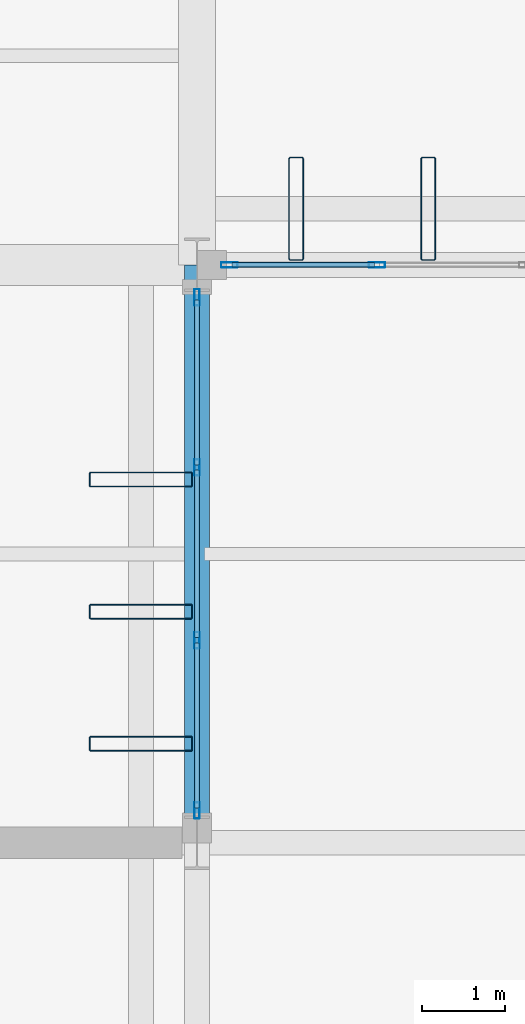
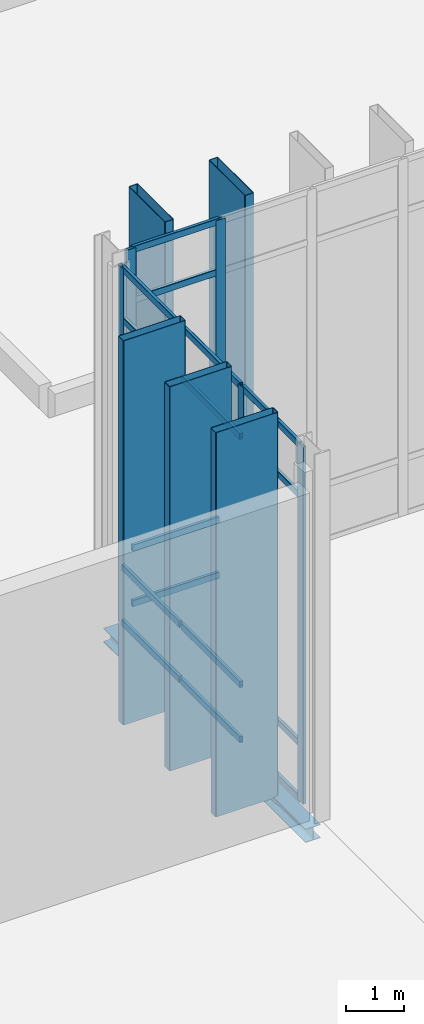
# One storey, part 58 of 176: 27 members, 1 beam, 2 elements without a shape of their own.
"""IFC4 building model written with IfcOpenShell, lengths in metres."""

from ifc_helpers import new_model, si_unit, direction, frame, origin, origin_2d, place, context, subcontext, project, spatial, hollow_rectangle, i_section, extrude, material, layer, layer_set, material_profile, profile_set, type_object, element, aggregate, save


model = new_model("IFC4")

# Units and contexts
model_context = context("Model", 3, precision=1e-05, world=origin(), true_north=direction((0.0, 1.0)))
body_context = subcontext(model_context, "Body", "Model", "MODEL_VIEW")
ifc_project = project(units=[si_unit("LENGTHUNIT", "METRE"), si_unit("AREAUNIT", "SQUARE_METRE"), si_unit("VOLUMEUNIT", "CUBIC_METRE"), si_unit("PLANEANGLEUNIT", "RADIAN"), si_unit("MASSUNIT", "GRAM", prefix="KILO")], contexts=[model_context])

# Site, building, storey
site_placement = place(None, origin())
site = spatial("IfcSite", under=ifc_project, at=site_placement, CompositionType="ELEMENT")
building_placement = place(site_placement, origin())
building = spatial("IfcBuilding", under=site, at=building_placement, Name="Vekula Escarpment Museum", CompositionType="ELEMENT")
storey_placement = place(building_placement, origin())
storey = spatial("IfcBuildingStorey", under=building, at=storey_placement, Name="L01", CompositionType="ELEMENT", Elevation=0.0)

# Beam
ifc_material_1 = material(Name="Steel S355", Category="steel")
ifc_material_profile_1 = material_profile(ifc_material_1, i_section(OverallWidth=0.300048828125, OverallDepth=0.2900390625, WebThickness=0.008544921875, FlangeThickness=0.013916015625, FilletRadius=0.027099609375, at=origin_2d()), Name="HEA 300")
ifc_profile_set_1 = profile_set([ifc_material_profile_1], Name="Steel S355")
beam_type = type_object("IfcBeamType", Name="BM-SPAN-HEA300", PredefinedType="SPANDREL", material=ifc_profile_set_1)
beam_placement = place(storey_placement, frame((70.0, 83.39990234375, -0.445068359375), z_axis=(0.0, 1.0, 0.0), x_axis=(-1.0, 0.0, 0.0)))
element("IfcBeam", 1, at=beam_placement, inside=storey, type_object=beam_type, Name="Beam Y L01 0545", PredefinedType="SPANDREL", context=body_context, shape_type="SweptSolid", body=[
    extrude(i_section(OverallWidth=0.300048828125, OverallDepth=0.2900390625, WebThickness=0.008544921875, FlangeThickness=0.013916015625, FilletRadius=0.027099609375, at=origin_2d()), origin(), (0.0, 0.0, 1.0), 7.0),
])

# Curtain wall, members
ifc_material_2 = material(Name="Aluminium thermally broken framing", Category="aluminium")
ifc_layer_1 = layer(ifc_material_2, 0.159912109375)
ifc_layer_set_1 = layer_set([ifc_layer_1], Name="Aluminium thermally broken framing")
curtain_wall_type_1 = type_object("IfcCurtainWallType", Name="CW-SYS-01", PredefinedType="NOTDEFINED", material=ifc_layer_set_1)
curtain_wall_1_placement = place(storey_placement, origin())
curtain_wall_1 = element("IfcCurtainWall", 2, at=curtain_wall_1_placement, inside=storey, type_object=curtain_wall_type_1, Name="Curtain Wall CW-L01-041", PredefinedType="NOTDEFINED")
ifc_material_3 = material(Name="Aluminium anodized mullion", Category="aluminium")
ifc_material_profile_2 = material_profile(ifc_material_3, hollow_rectangle(XDim=0.06494140625, YDim=0.199951171875, WallThickness=0.00390625, InnerFilletRadius=0.00390625, OuterFilletRadius=0.008056640625, at=origin_2d()), Name="ALU 200x65x4")
ifc_profile_set_2 = profile_set([ifc_material_profile_2], Name="Aluminium anodized mullion")
member_type_1 = type_object("IfcMemberType", Name="CW-MUL-200", PredefinedType="MULLION", material=ifc_profile_set_2)
member_1_placement = place(storey_placement, frame((72.179931640625, 90.39990234375, 0.0), z_axis=(0.0, 0.0, 1.0), x_axis=(0.0, -1.0, 0.0)))
member_1 = element("IfcMember", 3, at=member_1_placement, type_object=member_type_1, Name="CW-01 mullion 4", PredefinedType="MULLION", context=body_context, shape_type="SweptSolid", body=[
    extrude(hollow_rectangle(XDim=0.06494140625, YDim=0.199951171875, WallThickness=0.00390625, InnerFilletRadius=0.00390625, OuterFilletRadius=0.008056640625, at=origin_2d()), origin(), (0.0, 0.0, 1.0), 7.5400390625),
])
member_2_placement = place(storey_placement, frame((70.392578125, 90.39990234375, 0.0), z_axis=(0.0, 0.0, 1.0), x_axis=(0.0, -1.0, 0.0)))
member_2 = element("IfcMember", 4, at=member_2_placement, type_object=member_type_1, Name="CW-01 mullion 5", PredefinedType="MULLION", context=body_context, shape_type="SweptSolid", body=[
    extrude(hollow_rectangle(XDim=0.06494140625, YDim=0.199951171875, WallThickness=0.00390625, InnerFilletRadius=0.00390625, OuterFilletRadius=0.008056640625, at=origin_2d()), origin(), (0.0, 0.0, 1.0), 7.5400390625),
])

ifc_material_4 = material(Name="Aluminium thermally broken framing", Category="aluminium")
ifc_layer_2 = layer(ifc_material_4, 0.159912109375)
ifc_layer_set_2 = layer_set([ifc_layer_2], Name="Aluminium thermally broken framing")
curtain_wall_type_2 = type_object("IfcCurtainWallType", Name="CW-SYS-02", PredefinedType="NOTDEFINED", material=ifc_layer_set_2)
curtain_wall_2_placement = place(storey_placement, origin())
curtain_wall_2 = element("IfcCurtainWall", 5, at=curtain_wall_2_placement, inside=storey, type_object=curtain_wall_type_2, Name="Curtain Wall CW-L01-042", PredefinedType="NOTDEFINED")
member_3_placement = place(storey_placement, frame((70.0, 90.007568359375, 0.0), z_axis=(0.0, 0.0, 1.0), x_axis=(1.0, 0.0, 0.0)))
member_3 = element("IfcMember", 6, at=member_3_placement, type_object=member_type_1, Name="CW-02 mullion 1", PredefinedType="MULLION", context=body_context, shape_type="SweptSolid", body=[
    extrude(hollow_rectangle(XDim=0.06494140625, YDim=0.199951171875, WallThickness=0.00390625, InnerFilletRadius=0.00390625, OuterFilletRadius=0.008056640625, at=origin_2d()), origin(), (0.0, 0.0, 1.0), 7.5400390625),
])
member_4_placement = place(storey_placement, frame((70.0, 87.94677734375, 0.0), z_axis=(0.0, 0.0, 1.0), x_axis=(1.0, 0.0, 0.0)))
member_4 = element("IfcMember", 7, at=member_4_placement, type_object=member_type_1, Name="CW-02 mullion 2", PredefinedType="MULLION", context=body_context, shape_type="SweptSolid", body=[
    extrude(hollow_rectangle(XDim=0.06494140625, YDim=0.199951171875, WallThickness=0.00390625, InnerFilletRadius=0.00390625, OuterFilletRadius=0.008056640625, at=origin_2d()), origin(), (0.0, 0.0, 1.0), 7.5400390625),
])
member_5_placement = place(storey_placement, frame((70.0, 85.853271484375, 0.0), z_axis=(0.0, 0.0, 1.0), x_axis=(1.0, 0.0, 0.0)))
member_5 = element("IfcMember", 8, at=member_5_placement, type_object=member_type_1, Name="CW-02 mullion 3", PredefinedType="MULLION", context=body_context, shape_type="SweptSolid", body=[
    extrude(hollow_rectangle(XDim=0.06494140625, YDim=0.199951171875, WallThickness=0.00390625, InnerFilletRadius=0.00390625, OuterFilletRadius=0.008056640625, at=origin_2d()), origin(), (0.0, 0.0, 1.0), 7.5400390625),
])
member_6_placement = place(storey_placement, frame((70.0, 83.79248046875, 0.0), z_axis=(0.0, 0.0, 1.0), x_axis=(1.0, 0.0, 0.0)))
member_6 = element("IfcMember", 9, at=member_6_placement, type_object=member_type_1, Name="CW-02 mullion 4", PredefinedType="MULLION", context=body_context, shape_type="SweptSolid", body=[
    extrude(hollow_rectangle(XDim=0.06494140625, YDim=0.199951171875, WallThickness=0.00390625, InnerFilletRadius=0.00390625, OuterFilletRadius=0.008056640625, at=origin_2d()), origin(), (0.0, 0.0, 1.0), 7.5400390625),
])

# Member
ifc_material_5 = material(Name="Aluminium anodized transom", Category="aluminium")
ifc_material_profile_3 = material_profile(ifc_material_5, hollow_rectangle(XDim=0.06494140625, YDim=0.139892578125, WallThickness=0.00390625, InnerFilletRadius=0.00390625, OuterFilletRadius=0.008056640625, at=origin_2d()), Name="ALU 140x65x4")
ifc_profile_set_3 = profile_set([ifc_material_profile_3], Name="Aluminium anodized transom")
member_type_2 = type_object("IfcMemberType", Name="CW-TRN-140", PredefinedType="USERDEFINED", material=ifc_profile_set_3)
member_7_placement = place(storey_placement, frame((72.1474609375, 90.39990234375, 0.032470703125), z_axis=(-1.0, 0.0, 0.0), x_axis=(0.0, -1.0, 0.0)))
member_7 = element("IfcMember", 10, at=member_7_placement, type_object=member_type_2, Name="CW-01 transom 4.1", ObjectType="TRANSOM", PredefinedType="USERDEFINED", context=body_context, shape_type="SweptSolid", body=[
    extrude(hollow_rectangle(XDim=0.06494140625, YDim=0.139892578125, WallThickness=0.00390625, InnerFilletRadius=0.00390625, OuterFilletRadius=0.008056640625, at=origin_2d()), origin(), (0.0, 0.0, 1.0), 1.722412109375),
])

member_8_placement = place(storey_placement, frame((72.1474609375, 90.39990234375, 1.199951171875), z_axis=(-1.0, 0.0, 0.0), x_axis=(0.0, -1.0, 0.0)))
member_8 = element("IfcMember", 11, at=member_8_placement, type_object=member_type_2, Name="CW-01 transom 4.2", ObjectType="TRANSOM", PredefinedType="USERDEFINED", context=body_context, shape_type="SweptSolid", body=[
    extrude(hollow_rectangle(XDim=0.06494140625, YDim=0.139892578125, WallThickness=0.00390625, InnerFilletRadius=0.00390625, OuterFilletRadius=0.008056640625, at=origin_2d()), origin(), (0.0, 0.0, 1.0), 1.722412109375),
])

member_9_placement = place(storey_placement, frame((72.1474609375, 90.39990234375, 6.43994140625), z_axis=(-1.0, 0.0, 0.0), x_axis=(0.0, -1.0, 0.0)))
member_9 = element("IfcMember", 12, at=member_9_placement, type_object=member_type_2, Name="CW-01 transom 4.3", ObjectType="TRANSOM", PredefinedType="USERDEFINED", context=body_context, shape_type="SweptSolid", body=[
    extrude(hollow_rectangle(XDim=0.06494140625, YDim=0.139892578125, WallThickness=0.00390625, InnerFilletRadius=0.00390625, OuterFilletRadius=0.008056640625, at=origin_2d()), origin(), (0.0, 0.0, 1.0), 1.722412109375),
])

member_10_placement = place(storey_placement, frame((72.1474609375, 90.39990234375, 7.507568359375), z_axis=(-1.0, 0.0, 0.0), x_axis=(0.0, -1.0, 0.0)))
member_10 = element("IfcMember", 13, at=member_10_placement, type_object=member_type_2, Name="CW-01 transom 4.4", ObjectType="TRANSOM", PredefinedType="USERDEFINED", context=body_context, shape_type="SweptSolid", body=[
    extrude(hollow_rectangle(XDim=0.06494140625, YDim=0.139892578125, WallThickness=0.00390625, InnerFilletRadius=0.00390625, OuterFilletRadius=0.008056640625, at=origin_2d()), origin(), (0.0, 0.0, 1.0), 1.722412109375),
])

aggregate(curtain_wall_1, [member_1, member_2, member_7, member_8, member_9, member_10])

member_11_placement = place(storey_placement, frame((70.0, 89.97509765625, 0.032470703125), z_axis=(0.0, -1.0, 0.0), x_axis=(1.0, 0.0, 0.0)))
member_11 = element("IfcMember", 14, at=member_11_placement, type_object=member_type_2, Name="CW-02 transom 1.1", ObjectType="TRANSOM", PredefinedType="USERDEFINED", context=body_context, shape_type="SweptSolid", body=[
    extrude(hollow_rectangle(XDim=0.06494140625, YDim=0.139892578125, WallThickness=0.00390625, InnerFilletRadius=0.00390625, OuterFilletRadius=0.008056640625, at=origin_2d()), origin(), (0.0, 0.0, 1.0), 1.995849609375),
])

member_12_placement = place(storey_placement, frame((70.0, 89.97509765625, 1.199951171875), z_axis=(0.0, -1.0, 0.0), x_axis=(1.0, 0.0, 0.0)))
member_12 = element("IfcMember", 15, at=member_12_placement, type_object=member_type_2, Name="CW-02 transom 1.2", ObjectType="TRANSOM", PredefinedType="USERDEFINED", context=body_context, shape_type="SweptSolid", body=[
    extrude(hollow_rectangle(XDim=0.06494140625, YDim=0.139892578125, WallThickness=0.00390625, InnerFilletRadius=0.00390625, OuterFilletRadius=0.008056640625, at=origin_2d()), origin(), (0.0, 0.0, 1.0), 1.995849609375),
])

member_13_placement = place(storey_placement, frame((70.0, 89.97509765625, 6.43994140625), z_axis=(0.0, -1.0, 0.0), x_axis=(1.0, 0.0, 0.0)))
member_13 = element("IfcMember", 16, at=member_13_placement, type_object=member_type_2, Name="CW-02 transom 1.3", ObjectType="TRANSOM", PredefinedType="USERDEFINED", context=body_context, shape_type="SweptSolid", body=[
    extrude(hollow_rectangle(XDim=0.06494140625, YDim=0.139892578125, WallThickness=0.00390625, InnerFilletRadius=0.00390625, OuterFilletRadius=0.008056640625, at=origin_2d()), origin(), (0.0, 0.0, 1.0), 1.995849609375),
])

member_14_placement = place(storey_placement, frame((70.0, 89.97509765625, 7.507568359375), z_axis=(0.0, -1.0, 0.0), x_axis=(1.0, 0.0, 0.0)))
member_14 = element("IfcMember", 17, at=member_14_placement, type_object=member_type_2, Name="CW-02 transom 1.4", ObjectType="TRANSOM", PredefinedType="USERDEFINED", context=body_context, shape_type="SweptSolid", body=[
    extrude(hollow_rectangle(XDim=0.06494140625, YDim=0.139892578125, WallThickness=0.00390625, InnerFilletRadius=0.00390625, OuterFilletRadius=0.008056640625, at=origin_2d()), origin(), (0.0, 0.0, 1.0), 1.995849609375),
])

member_15_placement = place(storey_placement, frame((70.0, 87.9140625, 0.032470703125), z_axis=(0.0, -1.0, 0.0), x_axis=(1.0, 0.0, 0.0)))
member_15 = element("IfcMember", 18, at=member_15_placement, type_object=member_type_2, Name="CW-02 transom 2.1", ObjectType="TRANSOM", PredefinedType="USERDEFINED", context=body_context, shape_type="SweptSolid", body=[
    extrude(hollow_rectangle(XDim=0.06494140625, YDim=0.139892578125, WallThickness=0.00390625, InnerFilletRadius=0.00390625, OuterFilletRadius=0.008056640625, at=origin_2d()), origin(), (0.0, 0.0, 1.0), 2.0283203125),
])

member_16_placement = place(storey_placement, frame((70.0, 87.9140625, 1.199951171875), z_axis=(0.0, -1.0, 0.0), x_axis=(1.0, 0.0, 0.0)))
member_16 = element("IfcMember", 19, at=member_16_placement, type_object=member_type_2, Name="CW-02 transom 2.2", ObjectType="TRANSOM", PredefinedType="USERDEFINED", context=body_context, shape_type="SweptSolid", body=[
    extrude(hollow_rectangle(XDim=0.06494140625, YDim=0.139892578125, WallThickness=0.00390625, InnerFilletRadius=0.00390625, OuterFilletRadius=0.008056640625, at=origin_2d()), origin(), (0.0, 0.0, 1.0), 2.0283203125),
])

member_17_placement = place(storey_placement, frame((70.0, 87.9140625, 6.43994140625), z_axis=(0.0, -1.0, 0.0), x_axis=(1.0, 0.0, 0.0)))
member_17 = element("IfcMember", 20, at=member_17_placement, type_object=member_type_2, Name="CW-02 transom 2.3", ObjectType="TRANSOM", PredefinedType="USERDEFINED", context=body_context, shape_type="SweptSolid", body=[
    extrude(hollow_rectangle(XDim=0.06494140625, YDim=0.139892578125, WallThickness=0.00390625, InnerFilletRadius=0.00390625, OuterFilletRadius=0.008056640625, at=origin_2d()), origin(), (0.0, 0.0, 1.0), 2.0283203125),
])

member_18_placement = place(storey_placement, frame((70.0, 87.9140625, 7.507568359375), z_axis=(0.0, -1.0, 0.0), x_axis=(1.0, 0.0, 0.0)))
member_18 = element("IfcMember", 21, at=member_18_placement, type_object=member_type_2, Name="CW-02 transom 2.4", ObjectType="TRANSOM", PredefinedType="USERDEFINED", context=body_context, shape_type="SweptSolid", body=[
    extrude(hollow_rectangle(XDim=0.06494140625, YDim=0.139892578125, WallThickness=0.00390625, InnerFilletRadius=0.00390625, OuterFilletRadius=0.008056640625, at=origin_2d()), origin(), (0.0, 0.0, 1.0), 2.0283203125),
])

member_19_placement = place(storey_placement, frame((70.0, 85.82080078125, 0.032470703125), z_axis=(0.0, -1.0, 0.0), x_axis=(1.0, 0.0, 0.0)))
member_19 = element("IfcMember", 22, at=member_19_placement, type_object=member_type_2, Name="CW-02 transom 3.1", ObjectType="TRANSOM", PredefinedType="USERDEFINED", context=body_context, shape_type="SweptSolid", body=[
    extrude(hollow_rectangle(XDim=0.06494140625, YDim=0.139892578125, WallThickness=0.00390625, InnerFilletRadius=0.00390625, OuterFilletRadius=0.008056640625, at=origin_2d()), origin(), (0.0, 0.0, 1.0), 1.995849609375),
])

member_20_placement = place(storey_placement, frame((70.0, 85.82080078125, 1.199951171875), z_axis=(0.0, -1.0, 0.0), x_axis=(1.0, 0.0, 0.0)))
member_20 = element("IfcMember", 23, at=member_20_placement, type_object=member_type_2, Name="CW-02 transom 3.2", ObjectType="TRANSOM", PredefinedType="USERDEFINED", context=body_context, shape_type="SweptSolid", body=[
    extrude(hollow_rectangle(XDim=0.06494140625, YDim=0.139892578125, WallThickness=0.00390625, InnerFilletRadius=0.00390625, OuterFilletRadius=0.008056640625, at=origin_2d()), origin(), (0.0, 0.0, 1.0), 1.995849609375),
])

member_21_placement = place(storey_placement, frame((70.0, 85.82080078125, 6.43994140625), z_axis=(0.0, -1.0, 0.0), x_axis=(1.0, 0.0, 0.0)))
member_21 = element("IfcMember", 24, at=member_21_placement, type_object=member_type_2, Name="CW-02 transom 3.3", ObjectType="TRANSOM", PredefinedType="USERDEFINED", context=body_context, shape_type="SweptSolid", body=[
    extrude(hollow_rectangle(XDim=0.06494140625, YDim=0.139892578125, WallThickness=0.00390625, InnerFilletRadius=0.00390625, OuterFilletRadius=0.008056640625, at=origin_2d()), origin(), (0.0, 0.0, 1.0), 1.995849609375),
])

member_22_placement = place(storey_placement, frame((70.0, 85.82080078125, 7.507568359375), z_axis=(0.0, -1.0, 0.0), x_axis=(1.0, 0.0, 0.0)))
member_22 = element("IfcMember", 25, at=member_22_placement, type_object=member_type_2, Name="CW-02 transom 3.4", ObjectType="TRANSOM", PredefinedType="USERDEFINED", context=body_context, shape_type="SweptSolid", body=[
    extrude(hollow_rectangle(XDim=0.06494140625, YDim=0.139892578125, WallThickness=0.00390625, InnerFilletRadius=0.00390625, OuterFilletRadius=0.008056640625, at=origin_2d()), origin(), (0.0, 0.0, 1.0), 1.995849609375),
])

aggregate(curtain_wall_2, [member_3, member_4, member_5, member_6, member_11, member_12, member_13, member_14, member_15, member_16, member_17, member_18, member_19, member_20, member_21, member_22])

# Members
ifc_material_6 = material(Name="Steel S355 weathered bronze solar fin", Category="steel")
ifc_material_profile_4 = material_profile(ifc_material_6, hollow_rectangle(XDim=0.179931640625, YDim=1.25, WallThickness=0.010009765625, InnerFilletRadius=0.010009765625, OuterFilletRadius=0.02001953125, at=origin_2d()), Name="RHS 1250x180x10")
ifc_profile_set_4 = profile_set([ifc_material_profile_4], Name="Steel S355 weathered bronze solar fin")
member_type_3 = type_object("IfcMemberType", Name="MB-SOLAR-FIN", PredefinedType="USERDEFINED", material=ifc_profile_set_4)
for number, where, z_axis, x_axis, name in (
    (26, (71.199951171875, 91.080078125, -0.320068359375), (0.0, 0.0, 1.0), (1.0, 0.0, 0.0), "Great Hall Vertical Solar Fin 0131"),
    (27, (72.800048828125, 91.080078125, -0.320068359375), (0.0, 0.0, 1.0), (1.0, 0.0, 0.0), "Great Hall Vertical Solar Fin 0136"),
    (28, (69.320068359375, 84.60009765625, -0.320068359375), (0.0, 0.0, 1.0), (0.0, 1.0, 0.0), "Great Hall Vertical Solar Fin 0336"),
    (29, (69.320068359375, 86.199951171875, -0.320068359375), (0.0, 0.0, 1.0), (0.0, 1.0, 0.0), "Great Hall Vertical Solar Fin 0341"),
    (30, (69.320068359375, 87.800048828125, -0.320068359375), (0.0, 0.0, 1.0), (0.0, 1.0, 0.0), "Great Hall Vertical Solar Fin 0346"),
):
    element("IfcMember", number, at=place(storey_placement, frame(where, z_axis=z_axis, x_axis=x_axis)), inside=storey, type_object=member_type_3, Name=name, ObjectType="SOLAR FIN", PredefinedType="USERDEFINED", context=body_context, shape_type="SweptSolid", body=[
        extrude(hollow_rectangle(XDim=0.179931640625, YDim=1.25, WallThickness=0.010009765625, InnerFilletRadius=0.010009765625, OuterFilletRadius=0.02001953125, at=origin_2d()), origin(), (0.0, 0.0, 1.0), 8.1201171875),
    ])

save(model, "model.ifc")
